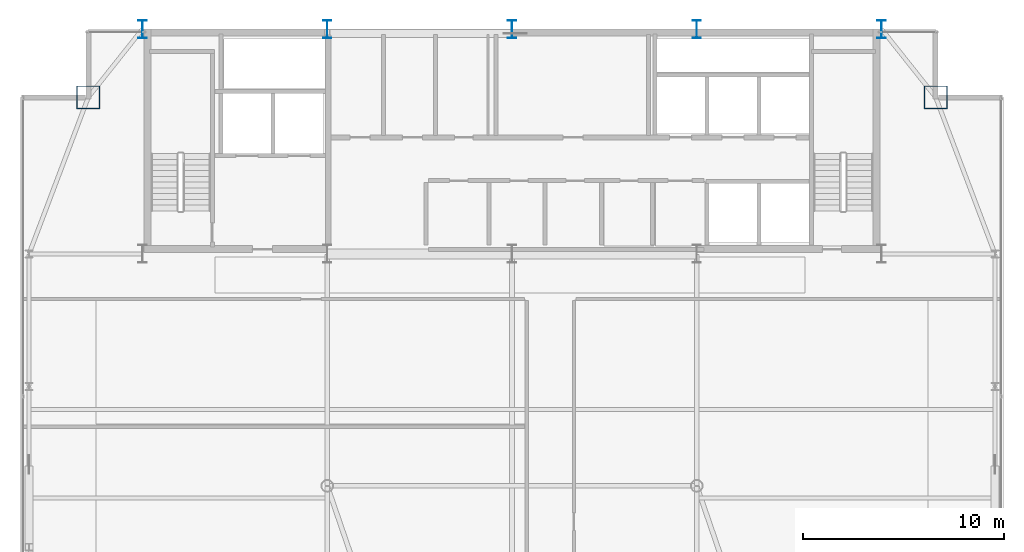
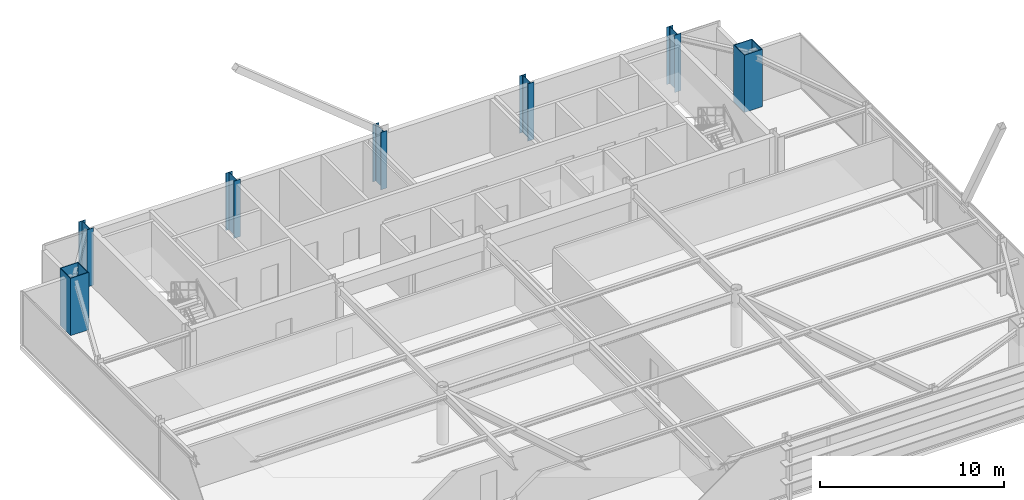
# One storey, part 3 of 27: 7 columns.
"""IFC4 building model written with IfcOpenShell, lengths in metres."""

from ifc_helpers import new_model, si_unit, direction, frame, origin, origin_2d, place, context, subcontext, project, spatial, hollow_rectangle, i_section, extrude, source, transform, mapped, material, material_profile, profile_set, type_object, type_shapes, element, save


model = new_model("IFC4")

# Units and contexts
model_context = context("Model", 3, precision=1e-05, world=origin(), true_north=direction((0.0, 1.0)))
body_context = subcontext(model_context, "Body", "Model", "MODEL_VIEW")
ifc_project = project(units=[si_unit("LENGTHUNIT", "METRE"), si_unit("AREAUNIT", "SQUARE_METRE"), si_unit("VOLUMEUNIT", "CUBIC_METRE"), si_unit("PLANEANGLEUNIT", "RADIAN"), si_unit("MASSUNIT", "GRAM", prefix="KILO")], contexts=[model_context])

# Site, building, storey
site_placement = place(None, origin())
site = spatial("IfcSite", under=ifc_project, at=site_placement, CompositionType="ELEMENT")
building_placement = place(site_placement, origin())
building = spatial("IfcBuilding", under=site, at=building_placement, Name="Varnel Quay Broadcast Tower", CompositionType="ELEMENT")
storey_placement = place(building_placement, frame((0.0, 0.0, 243.199951171875)))
storey = spatial("IfcBuildingStorey", under=building, at=storey_placement, Name="L60", CompositionType="ELEMENT", Elevation=243.199951171875)

# Columns
ifc_material = material(Name="Structural Steel CSA G40.21 350WT", Category="steel")
ifc_material_profile_1 = material_profile(ifc_material, i_section(OverallWidth=0.39990234375, OverallDepth=0.89990234375, WebThickness=0.01611328125, FlangeThickness=0.028076171875, FilletRadius=0.01611328125, at=origin_2d()), Name="WWF900X309")
ifc_profile_set_1 = profile_set([ifc_material_profile_1], Name="Structural Steel CSA G40.21 350WT")
column_type_1 = type_object("IfcColumnType", Name="Col_WWF900X309", PredefinedType="COLUMN", material=ifc_profile_set_1)
shared_shape_1 = source(origin(), body_context, "Body", "SweptSolid", [
    extrude(i_section(OverallWidth=0.39990234375, OverallDepth=0.89990234375, WebThickness=0.01611328125, FlangeThickness=0.028076171875, FilletRadius=0.01611328125, at=origin_2d()), origin(), (0.0, 0.0, 1.0), 3.800048828125),
])
type_shapes(column_type_1, [shared_shape_1])
for number, where, z_axis, x_axis, name in (
    (1, (15.60009765625, 46.800048828125, 0.0), (0.0, 0.0, 1.0), (1.0, 0.0, 0.0), "L60 Column CC-N1"),
    (2, (24.800048828125, 46.800048828125, 0.0), (0.0, 0.0, 1.0), (1.0, 0.0, 0.0), "L60 Column CC-N2"),
    (3, (34.0, 46.800048828125, 0.0), (0.0, 0.0, 1.0), (1.0, 0.0, 0.0), "L60 Column CC-N3"),
    (4, (43.199951171875, 46.800048828125, 0.0), (0.0, 0.0, 1.0), (1.0, 0.0, 0.0), "L60 Column CC-N4"),
    (5, (52.39990234375, 46.800048828125, 0.0), (0.0, 0.0, 1.0), (1.0, 0.0, 0.0), "L60 Column CC-N5"),
):
    element("IfcColumn", number, at=place(storey_placement, frame(where, z_axis=z_axis, x_axis=x_axis)), inside=storey, type_object=column_type_1, Name=name, PredefinedType="COLUMN", context=body_context, shape_type="MappedRepresentation", body=[
        mapped(shared_shape_1, transform((0.0, 0.0, 0.0), x_axis=(1.0, 0.0, 0.0), y_axis=(0.0, 1.0, 0.0), z_axis=(0.0, 0.0, 1.0), scale=1.0)),
    ])
ifc_material_profile_2 = material_profile(ifc_material, hollow_rectangle(XDim=1.14990234375, YDim=1.14990234375, WallThickness=0.044921875, at=origin_2d()), Name="BOX1150X1150X45")
ifc_profile_set_2 = profile_set([ifc_material_profile_2], Name="Structural Steel CSA G40.21 350WT")
column_type_2 = type_object("IfcColumnType", Name="Col_BOX1150X1150X45", PredefinedType="COLUMN", material=ifc_profile_set_2)
shared_shape_2 = source(origin(), body_context, "Body", "SweptSolid", [
    extrude(hollow_rectangle(XDim=1.14990234375, YDim=1.14990234375, WallThickness=0.044921875, at=origin_2d()), origin(), (0.0, 0.0, 1.0), 3.800048828125),
])
type_shapes(column_type_2, [shared_shape_2])
for number, where, z_axis, x_axis, name in (
    (6, (55.10009765625, 43.39990234375, 0.0), (0.0, 0.0, 1.0), (1.0, 0.0, 0.0), "L60 Column MC-NE"),
    (7, (12.89990234375, 43.39990234375, 0.0), (0.0, 0.0, 1.0), (1.0, 0.0, 0.0), "L60 Column MC-NW"),
):
    element("IfcColumn", number, at=place(storey_placement, frame(where, z_axis=z_axis, x_axis=x_axis)), inside=storey, type_object=column_type_2, Name=name, PredefinedType="COLUMN", context=body_context, shape_type="MappedRepresentation", body=[
        mapped(shared_shape_2, transform((0.0, 0.0, 0.0), x_axis=(1.0, 0.0, 0.0), y_axis=(0.0, 1.0, 0.0), z_axis=(0.0, 0.0, 1.0), scale=1.0)),
    ])

save(model, "model.ifc")
